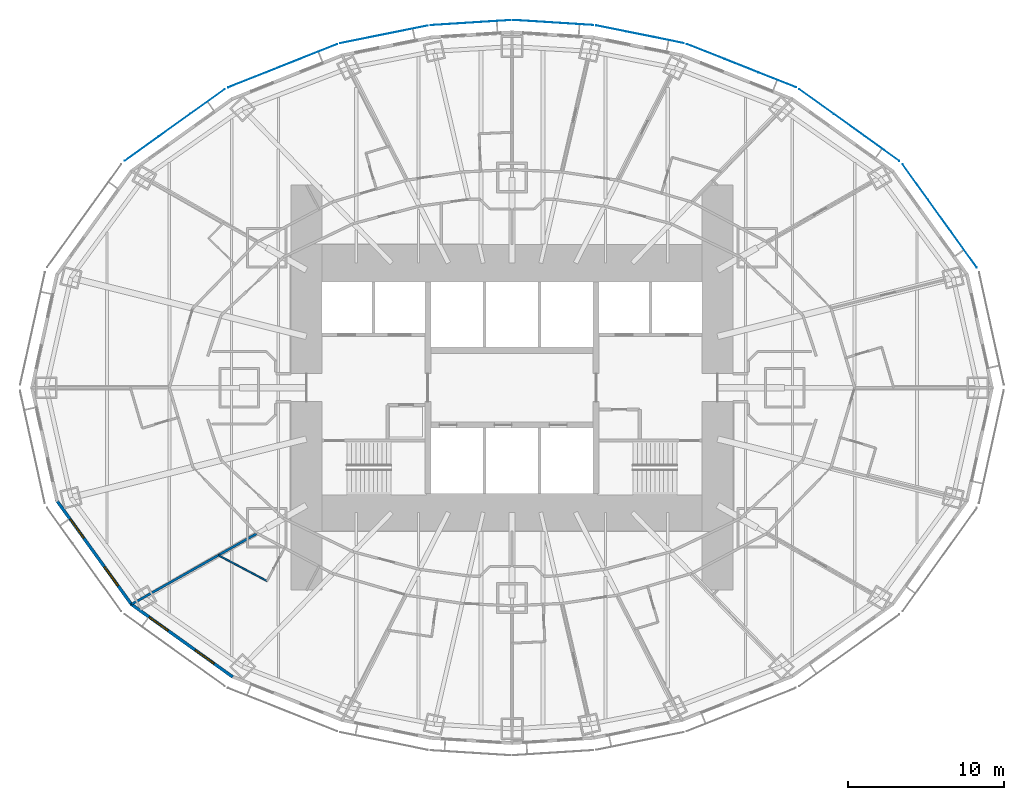
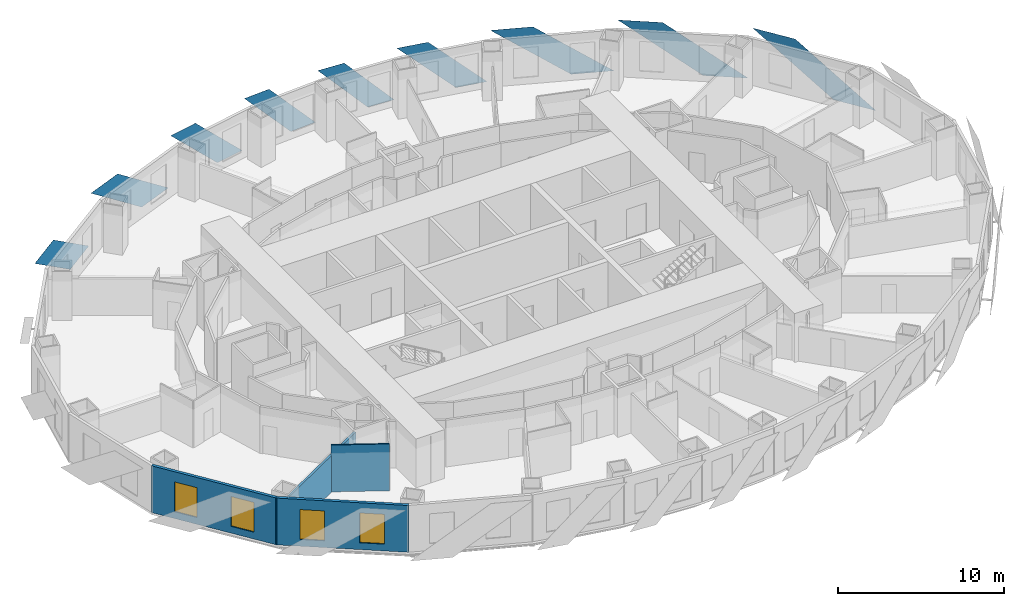
# One storey, part 4 of 15: 9 plates, 4 walls, 4 windows, 4 openings.
"""IFC4 building model written with IfcOpenShell, lengths in metres."""

from ifc_helpers import new_model, si_unit, direction, frame, frame_2d, origin, place, context, subcontext, project, spatial, polyline, rectangle, outline, extrude, material, layer, layer_set, type_object, element, fill, save


model = new_model("IFC4")

# Units and contexts
model_context = context("Model", 3, precision=1e-05, world=origin(), true_north=direction((0.0, 1.0)))
body_context = subcontext(model_context, "Body", "Model", "MODEL_VIEW")
ifc_project = project(units=[si_unit("LENGTHUNIT", "METRE"), si_unit("AREAUNIT", "SQUARE_METRE"), si_unit("VOLUMEUNIT", "CUBIC_METRE"), si_unit("PLANEANGLEUNIT", "RADIAN"), si_unit("MASSUNIT", "GRAM", prefix="KILO")], contexts=[model_context])

# Site, building, storey
site_placement = place(None, origin())
site = spatial("IfcSite", under=ifc_project, at=site_placement, CompositionType="ELEMENT")
building_placement = place(site_placement, origin())
building = spatial("IfcBuilding", under=site, at=building_placement, Name="Lantaw Convention Tower", CompositionType="ELEMENT")
storey_placement = place(building_placement, frame((0.0, 0.0, 73.0)))
storey = spatial("IfcBuildingStorey", under=building, at=storey_placement, Name="L16", CompositionType="ELEMENT", Elevation=73.0)

# Plates
ifc_material_1 = material(Name="Perforated aluminium sheet, pale silver finish", Category="aluminium")
ifc_layer_1 = layer(ifc_material_1, 0.006103515625)
ifc_layer_set_1 = layer_set([ifc_layer_1], Name="Perforated aluminium solar SCREEN panel")
plate_type = type_object("IfcPlateType", Name="Perforated aluminium solar SCREEN panel", PredefinedType="SHEET", material=ifc_layer_set_1)
plate_1_placement = place(storey_placement, frame((29.847900390625, 7.720947265625, -0.175048828125), z_axis=(0.811791382613, 0.583947558463, 9.019268e-06), x_axis=(-0.583947558486, 0.811791382646, 0.0)))
element("IfcPlate", 1, at=plate_1_placement, inside=storey, type_object=plate_type, Name="Solar SCREEN panel", PredefinedType="SHEET", context=body_context, shape_type="SweptSolid", body=[
    extrude(outline(polyline([(0.0, 0.0), (2.809541672291133, 0.0), (8.163093158837512, 3.739990234527119), (5.353551486546379, 3.739990234527119), (0.0, 0.0)])), origin(), (0.0, 0.0, -1.0), 0.006103515625),
])
plate_2_placement = place(storey_placement, frame((24.872314453125, 14.555908203125, -0.175048828125), z_axis=(0.582561421998, 0.812786681331, 1.5819417e-05), x_axis=(-0.812786681433, 0.582561422071, 0.0)))
element("IfcPlate", 2, at=plate_2_placement, inside=storey, type_object=plate_type, Name="Solar SCREEN panel", PredefinedType="SHEET", context=body_context, shape_type="SweptSolid", body=[
    extrude(outline(polyline([(0.0, 0.0), (2.721095180812288, 3.3881317890172014e-21), (7.903118572410756, 3.739990234842974), (5.182023391598468, 3.739990234842974), (0.0, 0.0)])), origin(), (0.0, 0.0, -1.0), 0.006103515625),
])
plate_3_placement = place(storey_placement, frame((18.232177734375, 19.278076171875, -0.175048828125), z_axis=(-0.369183532846, -0.929356508016, 9.163296e-06), x_axis=(-0.929356508055, 0.369183532862, 0.0)))
element("IfcPlate", 3, at=plate_3_placement, inside=storey, type_object=plate_type, Name="Solar SCREEN panel", PredefinedType="SHEET", context=body_context, shape_type="SweptSolid", body=[
    extrude(outline(polyline([(0.0, 0.0), (2.594936467166582, -1.6940658945086007e-21), (7.5321069917580825, -3.739990234532016), (4.937170524591499, -3.739990234532016), (0.0, 0.0)])), origin(), (0.0, 0.0, -1.0), 0.006103515625),
])
plate_4_placement = place(storey_placement, frame((11.03271484375, 22.117919921875, -0.175048828125), z_axis=(-0.197781876197, -0.980246055561, 2.418535e-06), x_axis=(-0.980246055563, 0.197781876198, 1.46e-10)))
element("IfcPlate", 4, at=plate_4_placement, inside=storey, type_object=plate_type, Name="Solar SCREEN panel", PredefinedType="SHEET", context=body_context, shape_type="SweptSolid", body=[
    extrude(outline(polyline([(0.0, 0.0), (1.9867801772236329, -3.1763735522036263e-22), (5.743587245978565, -3.7399902335493134), (3.7568553553458006, -3.739990234128105), (0.0, 0.0)])), origin(), (0.0, 0.0, -1.0), 0.006103515625),
])
plate_5_placement = place(storey_placement, frame((5.221923828125, 23.27783203125, -0.175048828125), z_axis=(-0.062923905251, -0.998018327468, 1.3605496e-05), x_axis=(-0.998018327561, 0.062923905257, 9.3e-10)))
element("IfcPlate", 5, at=plate_5_placement, inside=storey, type_object=plate_type, Name="Solar SCREEN panel", PredefinedType="SHEET", context=body_context, shape_type="SweptSolid", body=[
    extrude(outline(polyline([(0.0, 0.0), (1.7828375409377817, -2.117582368135751e-22), (5.143985963027618, -3.739990229938699), (3.3611637843713935, -3.7399902332537565), (0.0, 0.0)])), origin(), (0.0, 0.0, -1.0), 0.006103515625),
])
plate_6_placement = place(storey_placement, frame((-0.088134765625, 23.6015625, -0.175048828125), z_axis=(-0.062923905251, 0.998018327468, 1.3605496e-05), x_axis=(-0.998018327561, -0.062923905257, -9.3e-10)))
element("IfcPlate", 6, at=plate_6_placement, inside=storey, type_object=plate_type, Name="Solar SCREEN panel", PredefinedType="SHEET", context=body_context, shape_type="SweptSolid", body=[
    extrude(outline(polyline([(0.0, 0.0), (1.782822178656225, -2.117582368135751e-22), (5.143985956073316, 3.7399902395036517), (3.3611484151355353, 3.7399902361885653), (0.0, 0.0)])), origin(), (0.0, 0.0, -1.0), 0.006103515625),
])
plate_7_placement = place(storey_placement, frame((-5.402587890625, 23.25390625, -0.175048828125), z_axis=(-0.197781876197, 0.980246055561, 2.418535e-06), x_axis=(-0.980246055563, -0.197781876198, -1.46e-10)))
element("IfcPlate", 7, at=plate_7_placement, inside=storey, type_object=plate_type, Name="Solar SCREEN panel", PredefinedType="SHEET", context=body_context, shape_type="SweptSolid", body=[
    extrude(outline(polyline([(0.0, 0.0), (1.9867318906327642, 1.0587911840678754e-22), (5.743587244888999, 3.7399902352225842), (3.7568070676653664, 3.7399902346437783), (0.0, 0.0)])), origin(), (0.0, 0.0, -1.0), 0.006103515625),
])
plate_8_placement = place(storey_placement, frame((-11.232177734375, 22.058837890625, -0.175048828125), z_axis=(-0.369183532846, 0.929356508016, 9.163296e-06), x_axis=(-0.929356508055, -0.369183532862, 0.0)))
element("IfcPlate", 8, at=plate_8_placement, inside=storey, type_object=plate_type, Name="Solar SCREEN panel", PredefinedType="SHEET", context=body_context, shape_type="SweptSolid", body=[
    extrude(outline(polyline([(0.0, 0.0), (2.594936467166582, 1.6940658945086007e-21), (7.5321069917580825, 3.739990234532016), (4.937170524591499, 3.739990234532016), (0.0, 0.0)])), origin(), (0.0, 0.0, -1.0), 0.006103515625),
])
plate_9_placement = place(storey_placement, frame((-18.44873046875, 19.159912109375, -0.175048828125), z_axis=(0.582561421998, -0.812786681331, 1.5819417e-05), x_axis=(-0.812786681433, -0.582561422071, 0.0)))
element("IfcPlate", 9, at=plate_9_placement, inside=storey, type_object=plate_type, Name="Solar SCREEN panel", PredefinedType="SHEET", context=body_context, shape_type="SweptSolid", body=[
    extrude(outline(polyline([(0.0, 0.0), (2.721095180812288, -3.3881317890172014e-21), (7.903118572410756, -3.739990234842974), (5.182023391598468, -3.739990234842974), (0.0, 0.0)])), origin(), (0.0, 0.0, -1.0), 0.006103515625),
])

# Wall
ifc_material_2 = material(Name="Moisture resistant gypsum board on steel studs", Category="steel")
ifc_layer_2 = layer(ifc_material_2, 0.10009765625)
ifc_layer_set_2 = layer_set([ifc_layer_2], Name="Bathroom wall 100")
wall_type_1 = type_object("IfcWallType", Name="Bathroom wall 100", PredefinedType="PARTITIONING", material=ifc_layer_set_2)
wall_1_placement = place(storey_placement, frame((-15.727294921875, -12.4111328125, 0.0), z_axis=(0.0, 0.0, 1.0), x_axis=(-0.88335195308, 0.468710280439, 0.0)))
element("IfcWall", 10, at=wall_1_placement, inside=storey, type_object=wall_type_1, Name="Bathroom wall 100", PredefinedType="PARTITIONING", context=body_context, shape_type="SweptSolid", body=[
    extrude(rectangle(XDim=3.517578125, YDim=0.10009765625, at=frame_2d((1.7587890625, 0.0))), origin(), (0.0, 0.0, 1.0), 3.449951171875),
])

# Wall, openings, windows
ifc_material_3 = material(Name="Insulated aluminium panel on steel frame", Category="steel")
ifc_layer_3 = layer(ifc_material_3, 0.199951171875)
ifc_layer_set_3 = layer_set([ifc_layer_3], Name="External wall 200")
wall_type_2 = type_object("IfcWallType", Name="External wall 200", PredefinedType="SOLIDWALL", material=ifc_layer_set_3)
wall_2_placement = place(storey_placement, frame((-29.260498046875, -7.199951171875, 0.0), z_axis=(0.0, 0.0, 1.0), x_axis=(0.583937613703, -0.811798536155, 0.0)))
wall_2 = element("IfcWall", 11, at=wall_2_placement, inside=storey, type_object=wall_type_2, Name="Facade panel wall", PredefinedType="SOLIDWALL", context=body_context, shape_type="SweptSolid", body=[
    extrude(rectangle(XDim=8.322998046875, YDim=0.199951171875, at=frame_2d((4.16162109375, 0.0))), origin(), (0.0, 0.0, 1.0), 3.449951171875),
])
opening_1_placement = place(wall_2_placement, frame((1.53076171875, 0.0, 0.5)))
opening_1 = element("IfcOpeningElement", 12, at=opening_1_placement, cuts=wall_2, Name="Opening W2", PredefinedType="OPENING", context=body_context, shape_type="SweptSolid", body=[
    extrude(rectangle(XDim=1.5, YDim=2.199951171875, at=frame_2d((0.75, 1.10009765625))), frame((0.0, 0.10986328125, 0.0), z_axis=(0.0, -1.0, 0.0), x_axis=(1.0, 0.0, 0.0)), (0.0, 0.0, 1.0), 0.219970703125),
])
opening_2_placement = place(wall_2_placement, frame((5.292236328125, 0.0, 0.5)))
opening_2 = element("IfcOpeningElement", 13, at=opening_2_placement, cuts=wall_2, Name="Opening W2", PredefinedType="OPENING", context=body_context, shape_type="SweptSolid", body=[
    extrude(rectangle(XDim=1.5, YDim=2.199951171875, at=frame_2d((0.75, 1.10009765625))), frame((0.0, 0.10986328125, 0.0), z_axis=(0.0, -1.0, 0.0), x_axis=(1.0, 0.0, 0.0)), (0.0, 0.0, 1.0), 0.219970703125),
])
ifc_material_4 = material(Name="Aluminium frame, clear insulating glass", Category="aluminium")
window_type = type_object("IfcWindowType", Name="Suite window 1500x2200", PartitioningType="SINGLE_PANEL", PredefinedType="WINDOW", material=ifc_material_4)
window_1_placement = place(opening_1_placement, origin())
window_1 = element("IfcWindow", 14, at=window_1_placement, inside=storey, type_object=window_type, Name="Guest room window", OverallHeight=2.199951171875, OverallWidth=1.5, PartitioningType="SINGLE_PANEL", PredefinedType="WINDOW", context=body_context, shape_type="SweptSolid", body=[
    extrude(rectangle(XDim=1.5, YDim=2.199951171875, at=frame_2d((0.75, 1.10009765625))), frame((0.0, 0.030029296875, 0.0), z_axis=(0.0, -1.0, 0.0), x_axis=(1.0, 0.0, 0.0)), (0.0, 0.0, 1.0), 0.06005859375),
])
fill(opening_1, window_1)
window_2_placement = place(opening_2_placement, origin())
window_2 = element("IfcWindow", 15, at=window_2_placement, inside=storey, type_object=window_type, Name="Guest room window", OverallHeight=2.199951171875, OverallWidth=1.5, PartitioningType="SINGLE_PANEL", PredefinedType="WINDOW", context=body_context, shape_type="SweptSolid", body=[
    extrude(rectangle(XDim=1.5, YDim=2.199951171875, at=frame_2d((0.75, 1.10009765625))), frame((0.0, 0.030029296875, 0.0), z_axis=(0.0, -1.0, 0.0), x_axis=(1.0, 0.0, 0.0)), (0.0, 0.0, 1.0), 0.06005859375),
])
fill(opening_2, window_2)

wall_3_placement = place(storey_placement, frame((-24.482421875, -13.87451171875, 0.0), z_axis=(0.0, 0.0, 1.0), x_axis=(0.812791321576, -0.582554948112, 0.0)))
wall_3 = element("IfcWall", 16, at=wall_3_placement, inside=storey, type_object=wall_type_2, Name="Facade panel wall", PredefinedType="SOLIDWALL", context=body_context, shape_type="SweptSolid", body=[
    extrude(rectangle(XDim=8.063232421875, YDim=0.199951171875, at=frame_2d((4.03173828125, 0.0))), origin(), (0.0, 0.0, 1.0), 3.449951171875),
])
opening_3_placement = place(wall_3_placement, frame((1.4658203125, 0.0, 0.5)))
opening_3 = element("IfcOpeningElement", 17, at=opening_3_placement, cuts=wall_3, Name="Opening W2", PredefinedType="OPENING", context=body_context, shape_type="SweptSolid", body=[
    extrude(rectangle(XDim=1.5, YDim=2.199951171875, at=frame_2d((0.75, 1.10009765625))), frame((0.0, 0.10986328125, 0.0), z_axis=(0.0, -1.0, 0.0), x_axis=(1.0, 0.0, 0.0)), (0.0, 0.0, 1.0), 0.219970703125),
])
opening_4_placement = place(wall_3_placement, frame((5.097412109375, 0.0, 0.5)))
opening_4 = element("IfcOpeningElement", 18, at=opening_4_placement, cuts=wall_3, Name="Opening W2", PredefinedType="OPENING", context=body_context, shape_type="SweptSolid", body=[
    extrude(rectangle(XDim=1.5, YDim=2.199951171875, at=frame_2d((0.75, 1.10009765625))), frame((0.0, 0.10986328125, 0.0), z_axis=(0.0, -1.0, 0.0), x_axis=(1.0, 0.0, 0.0)), (0.0, 0.0, 1.0), 0.219970703125),
])
window_3_placement = place(opening_3_placement, origin())
window_3 = element("IfcWindow", 19, at=window_3_placement, inside=storey, type_object=window_type, Name="Guest room window", OverallHeight=2.199951171875, OverallWidth=1.5, PartitioningType="SINGLE_PANEL", PredefinedType="WINDOW", context=body_context, shape_type="SweptSolid", body=[
    extrude(rectangle(XDim=1.5, YDim=2.199951171875, at=frame_2d((0.75, 1.10009765625))), frame((0.0, 0.030029296875, 0.0), z_axis=(0.0, -1.0, 0.0), x_axis=(1.0, 0.0, 0.0)), (0.0, 0.0, 1.0), 0.06005859375),
])
fill(opening_3, window_3)
window_4_placement = place(opening_4_placement, origin())
window_4 = element("IfcWindow", 20, at=window_4_placement, inside=storey, type_object=window_type, Name="Guest room window", OverallHeight=2.199951171875, OverallWidth=1.5, PartitioningType="SINGLE_PANEL", PredefinedType="WINDOW", context=body_context, shape_type="SweptSolid", body=[
    extrude(rectangle(XDim=1.5, YDim=2.199951171875, at=frame_2d((0.75, 1.10009765625))), frame((0.0, 0.030029296875, 0.0), z_axis=(0.0, -1.0, 0.0), x_axis=(1.0, 0.0, 0.0)), (0.0, 0.0, 1.0), 0.06005859375),
])
fill(opening_4, window_4)

# Wall
ifc_material_5 = material(Name="Gypsum board on steel studs, acoustic", Category="steel")
ifc_layer_4 = layer(ifc_material_5, 0.14990234375)
ifc_layer_set_4 = layer_set([ifc_layer_4], Name="Guest room party wall 150")
wall_type_3 = type_object("IfcWallType", Name="Guest room party wall 150", PredefinedType="PARTITIONING", material=ifc_layer_set_4)
wall_4_placement = place(storey_placement, frame((-24.434814453125, -13.90869140625, 0.0), z_axis=(0.0, 0.0, 1.0), x_axis=(0.870744406136, 0.491735883563, 0.0)))
element("IfcWall", 21, at=wall_4_placement, inside=storey, type_object=wall_type_3, Name="Guest room party wall 150", PredefinedType="PARTITIONING", context=body_context, shape_type="SweptSolid", body=[
    extrude(rectangle(XDim=9.262939453125, YDim=0.14990234375, at=frame_2d((4.63134765625, 0.0))), origin(), (0.0, 0.0, 1.0), 2.693115234375),
])

save(model, "model.ifc")
